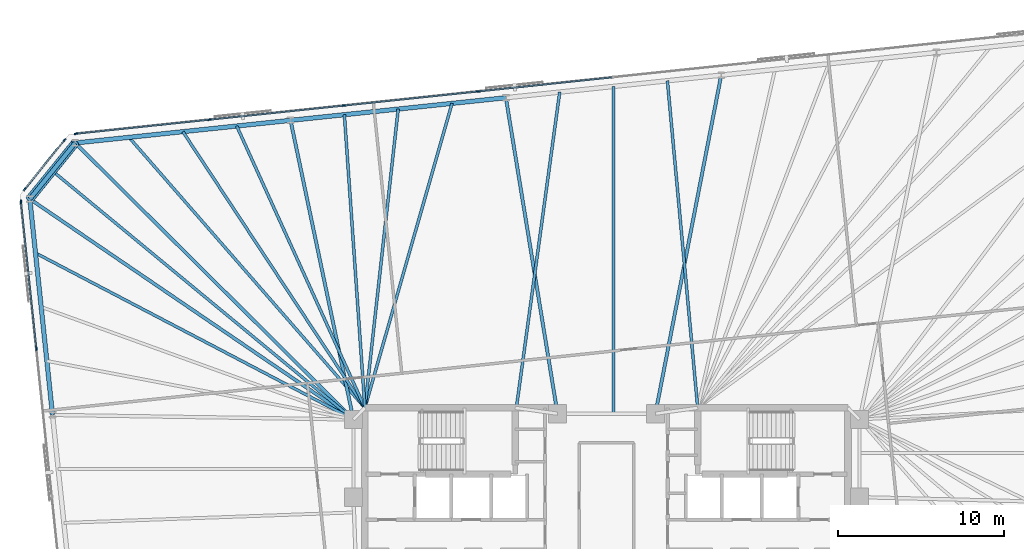
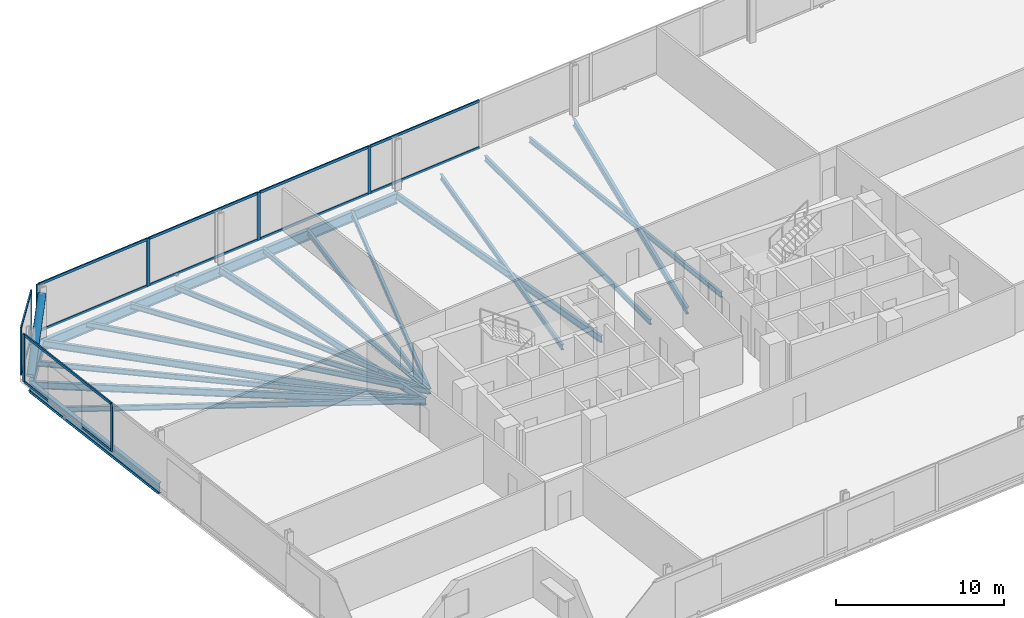
# One storey, part 9 of 18: 21 members, 20 beams, 3 elements without a shape of their own.
"""IFC4 building model written with IfcOpenShell, lengths in metres."""

import ifcopenshell
import ifcopenshell.guid

model = None  # the IFC model being written
_history = None  # IfcOwnerHistory: only IFC2X3 demands one
_inside = {}  # id of a spatial element -> (the spatial element, [elements in it])
_under = {}  # id of a project, library or spatial element -> (it, [spatial elements below it])
_declared = {}  # id of a project -> (the project, [libraries it declares])
_typed = {}  # id of a type object -> (the type object, [elements of that type])
_made_of = {}  # id of a material, layer set ... -> (it, [elements and type objects made of it])


def new_model(schema):
    """Start an empty IFC model of exactly this schema.

    Asked for "IFC4X3", IfcOpenShell would pick the latest addendum, in which some entities
    have other attributes; the version numbers below select the first issue.
    IFC2X3 requires an IfcOwnerHistory on every rooted entity: one is made here for all.
    """
    global model, _history
    if schema == "IFC4X3":
        model = ifcopenshell.file(schema_version=(4, 3, 0, 0))
    else:
        model = ifcopenshell.file(schema=schema)
    _inside.clear()
    _under.clear()
    _declared.clear()
    _typed.clear()
    _made_of.clear()
    _history = None
    if model.schema == "IFC2X3":
        org = make("IfcOrganization", Name="unknown")
        user = make(
            "IfcPersonAndOrganization",
            ThePerson=make("IfcPerson", FamilyName="unknown"),
            TheOrganization=org,
        )
        app = make(
            "IfcApplication",
            ApplicationDeveloper=org,
            Version="unknown",
            ApplicationFullName="unknown",
            ApplicationIdentifier="unknown",
        )
        _history = make(
            "IfcOwnerHistory",
            OwningUser=user,
            OwningApplication=app,
            ChangeAction="ADDED",
            CreationDate=0,
        )
    return model


def make(cls, **values):
    """One entity of the class cls with the attributes given. An attribute that is None is left unset."""
    return model.create_entity(
        cls, **{name: value for name, value in values.items() if value is not None}
    )


def rooted(cls, **values):
    """An entity with a GlobalId (a new one), such as an element, a storey or a relation."""
    return make(cls, GlobalId=ifcopenshell.guid.new(), OwnerHistory=_history, **values)


def si_unit(unit_type, name, prefix=None):
    """IfcSIUnit, for example si_unit("LENGTHUNIT", "METRE", prefix="MILLI")."""
    return make("IfcSIUnit", UnitType=unit_type, Prefix=prefix, Name=name)


def assignment(units):
    """IfcUnitAssignment: the units of a project."""
    return None if units is None else make("IfcUnitAssignment", Units=units)


def point(xyz):
    """IfcCartesianPoint."""
    return None if xyz is None else make("IfcCartesianPoint", Coordinates=xyz)


def direction(xyz):
    """IfcDirection."""
    return None if xyz is None else make("IfcDirection", DirectionRatios=xyz)


def frame(location, z_axis=None, x_axis=None):
    """IfcAxis2Placement3D, a coordinate frame: its origin and axes. An axis left out is left unset."""
    return make(
        "IfcAxis2Placement3D",
        Location=point(location),
        Axis=direction(z_axis),
        RefDirection=direction(x_axis),
    )


def frame_2d(location, x_axis=None):
    """IfcAxis2Placement2D, a coordinate frame in the plane: its origin and x axis."""
    return make(
        "IfcAxis2Placement2D", Location=point(location), RefDirection=direction(x_axis)
    )


def origin():
    """The frame at (0, 0, 0) with its axes left unset."""
    return frame((0.0, 0.0, 0.0))


def origin_2d():
    """The frame at (0, 0) in the plane with its x axis left unset."""
    return frame_2d((0.0, 0.0))


def place(relative_to, where):
    """IfcLocalPlacement: puts the frame where relative to a parent placement (None: the world)."""
    return make(
        "IfcLocalPlacement", PlacementRelTo=relative_to, RelativePlacement=where
    )


def context(
    kind, dimensions, precision=None, world=None, true_north=None, identifier=None
):
    """IfcGeometricRepresentationContext, for example the 3D "Model" context."""
    return make(
        "IfcGeometricRepresentationContext",
        ContextIdentifier=identifier,
        ContextType=kind,
        CoordinateSpaceDimension=dimensions,
        Precision=precision,
        WorldCoordinateSystem=world,
        TrueNorth=true_north,
    )


def subcontext(parent, identifier, kind, view, scale=None):
    """IfcGeometricRepresentationSubContext, for example "Body" below "Model"."""
    return make(
        "IfcGeometricRepresentationSubContext",
        ContextIdentifier=identifier,
        ContextType=kind,
        ParentContext=parent,
        TargetScale=scale,
        TargetView=view,
    )


def project(units=None, contexts=None):
    """IfcProject with its units and contexts."""
    return rooted(
        "IfcProject",
        Name="project",
        RepresentationContexts=contexts,
        UnitsInContext=assignment(units),
    )


def spatial(cls, under=None, at=None, **own):
    """A site, building, storey or space (cls), placed at a placement, below another one or the project."""
    s = rooted(cls, ObjectPlacement=at, **own)
    if under is not None:
        _under.setdefault(under.id(), (under, []))[1].append(s)
    return s


def profile(cls, at=None, kind="AREA", **sizes):
    """A parametric profile (cls). Its sizes go by their IFC names, for example OverallWidth=200.0."""
    return make(cls, ProfileType=kind, Position=at, **sizes)


def rectangle(**sizes):
    """IfcRectangleProfileDef."""
    return profile("IfcRectangleProfileDef", **sizes)


def hollow_circle(**sizes):
    """IfcCircleHollowProfileDef."""
    return profile("IfcCircleHollowProfileDef", **sizes)


def i_section(**sizes):
    """IfcIShapeProfileDef."""
    return profile("IfcIShapeProfileDef", **sizes)


def extrude(swept, where, along, depth):
    """IfcExtrudedAreaSolid: the profile swept, set in the frame where, extruded along a direction by depth."""
    return make(
        "IfcExtrudedAreaSolid",
        SweptArea=swept,
        Position=where,
        ExtrudedDirection=direction(along),
        Depth=depth,
    )


def shape(context_of_items, identifier, shape_type, items):
    """IfcShapeRepresentation: the items that make up one representation, for example the "Body"."""
    return make(
        "IfcShapeRepresentation",
        ContextOfItems=context_of_items,
        RepresentationIdentifier=identifier,
        RepresentationType=shape_type,
        Items=items,
    )


def material(Name=None, Category=None):
    """IfcMaterial."""
    return make("IfcMaterial", Name=Name, Category=Category)


def material_profile(
    of_material, cross_section, Name=None, Category=None, Priority=None
):
    """IfcMaterialProfile: a cross section and its material."""
    return make(
        "IfcMaterialProfile",
        Name=Name,
        Material=of_material,
        Profile=cross_section,
        Priority=Priority,
        Category=Category,
    )


def profile_set(profiles, Name=None, composite=None):
    """IfcMaterialProfileSet."""
    return make(
        "IfcMaterialProfileSet",
        Name=Name,
        MaterialProfiles=profiles,
        CompositeProfile=composite,
    )


def made_of(thing, what):
    """Note that an element or type object is made of a material, layer set ...; save() writes the relation."""
    if what is not None:
        _made_of.setdefault(what.id(), (what, []))[1].append(thing)
    return thing


def type_object(cls, material=None, **own):
    """A type object (cls), such as IfcWallType, which elements share."""
    return made_of(rooted(cls, **own), material)


def element(
    cls,
    number,
    at=None,
    inside=None,
    cuts=None,
    type_object=None,
    material=None,
    context=None,
    identifier="Body",
    shape_type=None,
    held_by="IfcProductDefinitionShape",
    body=None,
    shapes=None,
    **own,
):
    """One element of the class cls, such as IfcWall. Its Tag is "e" and its number.

    at: its placement. inside: the storey or other place that contains it. cuts: it is an
    opening in that element (IfcRelVoidsElement). A single representation is given by context,
    identifier, shape_type and body (its items); several are given by shapes. held_by: the class
    of the entity that holds the representations. save() writes the other relations.
    """
    e = rooted(cls, Tag="e%d" % number, ObjectPlacement=at, **own)
    if body is not None:
        shapes = [shape(context, identifier, shape_type, body)]
    if shapes is not None:
        e.Representation = make(held_by, Representations=shapes)
    if inside is not None:
        _inside.setdefault(inside.id(), (inside, []))[1].append(e)
    if cuts is not None:
        rooted(
            "IfcRelVoidsElement", RelatingBuildingElement=cuts, RelatedOpeningElement=e
        )
    if type_object is not None:
        _typed.setdefault(type_object.id(), (type_object, []))[1].append(e)
    return made_of(e, material)


def aggregate(whole, parts):
    """IfcRelAggregates: a whole, such as a stair, and the parts it consists of."""
    return rooted("IfcRelAggregates", RelatingObject=whole, RelatedObjects=parts)


def save(model, path):
    """Write the relations noted so far, then the file.

    IfcRelAggregates (storeys below a building ...), IfcRelContainedInSpatialStructure (elements
    in a storey), IfcRelDefinesByType, IfcRelAssociatesMaterial and IfcRelDeclares: one each for
    every whole, place, type object, material and project.
    """
    for whole, parts in _under.values():
        aggregate(whole, parts)
    for where, things in _inside.values():
        rooted(
            "IfcRelContainedInSpatialStructure",
            RelatedElements=things,
            RelatingStructure=where,
        )
    for kind, things in _typed.values():
        rooted("IfcRelDefinesByType", RelatedObjects=things, RelatingType=kind)
    for what, things in _made_of.values():
        rooted("IfcRelAssociatesMaterial", RelatedObjects=things, RelatingMaterial=what)
    for by, libraries in _declared.values():
        rooted("IfcRelDeclares", RelatingContext=by, RelatedDefinitions=libraries)
    model.write(path)


model = new_model("IFC4")

# Units and contexts
model_context = context("Model", 3, precision=1e-05, world=origin(), true_north=direction((0.0, 1.0)))
body_context = subcontext(model_context, "Body", "Model", "MODEL_VIEW")
ifc_project = project(units=[si_unit("LENGTHUNIT", "METRE"), si_unit("AREAUNIT", "SQUARE_METRE"), si_unit("VOLUMEUNIT", "CUBIC_METRE"), si_unit("PLANEANGLEUNIT", "RADIAN"), si_unit("MASSUNIT", "GRAM", prefix="KILO")], contexts=[model_context])

# Site, building, storey
site_placement = place(None, origin())
site = spatial("IfcSite", under=ifc_project, at=site_placement, CompositionType="ELEMENT")
building_placement = place(site_placement, origin())
building = spatial("IfcBuilding", under=site, at=building_placement, Name="Menara Jurai Vektor", CompositionType="ELEMENT")
storey_placement = place(building_placement, frame((0.0, 0.0, 113.300048828125)))
storey = spatial("IfcBuildingStorey", under=building, at=storey_placement, Name="L28", CompositionType="ELEMENT", Elevation=113.300048828125)

# Curtain wall, members
ifc_material_1 = material(Name="Anodised Pale Aluminium & Low-E Double Glazing", Category="aluminium")
curtain_wall_type = type_object("IfcCurtainWallType", Name="CW-BLK2", PredefinedType="NOTDEFINED", material=ifc_material_1)
curtain_wall_1_placement = place(storey_placement, origin())
curtain_wall_1 = element("IfcCurtainWall", 1, at=curtain_wall_1_placement, inside=storey, type_object=curtain_wall_type, Name="Unitised Curtain Wall L28 F07", PredefinedType="NOTDEFINED")
ifc_material_2 = material(Name="Anodised Pale Aluminium Mullion", Category="aluminium")
ifc_material_profile_1 = material_profile(ifc_material_2, rectangle(XDim=0.090087890625, YDim=0.219970703125, at=origin_2d()), Name="ALU MUL 90x220")
ifc_profile_set_1 = profile_set([ifc_material_profile_1], Name="Anodised Pale Aluminium Mullion")
member_type_1 = type_object("IfcMemberType", Name="CW-BLK2-MUL", PredefinedType="MULLION", material=ifc_profile_set_1)
member_1_placement = place(storey_placement, frame((-7.728271484375, 24.67138671875, 0.0), z_axis=(0.0, 0.0, 1.0), x_axis=(0.104528634935, -0.994521877325, 0.0)))
member_1 = element("IfcMember", 2, at=member_1_placement, type_object=member_type_1, Name="CW-02 mullion 6", PredefinedType="MULLION", context=body_context, shape_type="SweptSolid", body=[
    extrude(rectangle(XDim=0.090087890625, YDim=0.219970703125, at=origin_2d()), origin(), (0.0, 0.0, 1.0), 3.474853515625),
])
member_2_placement = place(storey_placement, frame((-15.826171875, 23.8203125, 0.0), z_axis=(0.0, 0.0, 1.0), x_axis=(0.104528634935, -0.994521877325, 0.0)))
member_2 = element("IfcMember", 3, at=member_2_placement, type_object=member_type_1, Name="CW-02 mullion 7", PredefinedType="MULLION", context=body_context, shape_type="SweptSolid", body=[
    extrude(rectangle(XDim=0.090087890625, YDim=0.219970703125, at=origin_2d()), origin(), (0.0, 0.0, 1.0), 3.474853515625),
])
member_3_placement = place(storey_placement, frame((-23.924072265625, 22.96923828125, 0.0), z_axis=(0.0, 0.0, 1.0), x_axis=(0.104528634935, -0.994521877325, 0.0)))
member_3 = element("IfcMember", 4, at=member_3_placement, type_object=member_type_1, Name="CW-02 mullion 8", PredefinedType="MULLION", context=body_context, shape_type="SweptSolid", body=[
    extrude(rectangle(XDim=0.090087890625, YDim=0.219970703125, at=origin_2d()), origin(), (0.0, 0.0, 1.0), 3.474853515625),
])
member_4_placement = place(storey_placement, frame((-31.97705078125, 22.122802734375, 0.0), z_axis=(0.0, 0.0, 1.0), x_axis=(0.104528634935, -0.994521877325, 0.0)))
member_4 = element("IfcMember", 5, at=member_4_placement, type_object=member_type_1, Name="CW-02 mullion 9", PredefinedType="MULLION", context=body_context, shape_type="SweptSolid", body=[
    extrude(rectangle(XDim=0.090087890625, YDim=0.219970703125, at=origin_2d()), origin(), (0.0, 0.0, 1.0), 3.474853515625),
])

curtain_wall_2_placement = place(storey_placement, origin())
curtain_wall_2 = element("IfcCurtainWall", 6, at=curtain_wall_2_placement, inside=storey, type_object=curtain_wall_type, Name="Unitised Curtain Wall L28 F08", PredefinedType="NOTDEFINED")
member_5_placement = place(storey_placement, frame((-32.667236328125, 21.748046875, 0.0), z_axis=(0.0, 0.0, 1.0), x_axis=(0.777129222223, -0.62934106172, 0.0)))
member_5 = element("IfcMember", 7, at=member_5_placement, type_object=member_type_1, Name="CW-02 mullion 1", PredefinedType="MULLION", context=body_context, shape_type="SweptSolid", body=[
    extrude(rectangle(XDim=0.090087890625, YDim=0.219970703125, at=origin_2d()), origin(), (0.0, 0.0, 1.0), 3.474853515625),
])
member_6_placement = place(storey_placement, frame((-35.0693359375, 18.781982421875, 0.0), z_axis=(0.0, 0.0, 1.0), x_axis=(0.777129222223, -0.62934106172, 0.0)))
member_6 = element("IfcMember", 8, at=member_6_placement, type_object=member_type_1, Name="CW-02 mullion 2", PredefinedType="MULLION", context=body_context, shape_type="SweptSolid", body=[
    extrude(rectangle(XDim=0.090087890625, YDim=0.219970703125, at=origin_2d()), origin(), (0.0, 0.0, 1.0), 3.474853515625),
])

curtain_wall_3_placement = place(storey_placement, origin())
curtain_wall_3 = element("IfcCurtainWall", 9, at=curtain_wall_3_placement, inside=storey, type_object=curtain_wall_type, Name="Unitised Curtain Wall L28 F09", PredefinedType="NOTDEFINED")
member_7_placement = place(storey_placement, frame((-35.29248046875, 18.029052734375, 0.0), z_axis=(0.0, 0.0, 1.0), x_axis=(0.994521640719, 0.10453088607, 0.0)))
member_7 = element("IfcMember", 10, at=member_7_placement, type_object=member_type_1, Name="CW-02 mullion 1", PredefinedType="MULLION", context=body_context, shape_type="SweptSolid", body=[
    extrude(rectangle(XDim=0.090087890625, YDim=0.219970703125, at=origin_2d()), origin(), (0.0, 0.0, 1.0), 3.474853515625),
])
member_8_placement = place(storey_placement, frame((-34.361083984375, 9.167724609375, 0.0), z_axis=(0.0, 0.0, 1.0), x_axis=(0.994521640719, 0.10453088607, 0.0)))
member_8 = element("IfcMember", 11, at=member_8_placement, type_object=member_type_1, Name="CW-02 mullion 2", PredefinedType="MULLION", context=body_context, shape_type="SweptSolid", body=[
    extrude(rectangle(XDim=0.090087890625, YDim=0.219970703125, at=origin_2d()), origin(), (0.0, 0.0, 1.0), 3.474853515625),
])

# Member
ifc_material_3 = material(Name="Anodised Pale Aluminium Transom", Category="aluminium")
ifc_material_profile_2 = material_profile(ifc_material_3, rectangle(XDim=0.090087890625, YDim=0.18505859375, at=origin_2d()), Name="ALU TRN 90x185")
ifc_profile_set_2 = profile_set([ifc_material_profile_2], Name="Anodised Pale Aluminium Transom")
member_type_2 = type_object("IfcMemberType", Name="CW-BLK2-TRN", PredefinedType="USERDEFINED", material=ifc_profile_set_2)
member_9_placement = place(storey_placement, frame((0.324951171875, 25.517822265625, 0.044921875), z_axis=(-0.99452387809, -0.104509597213, 0.0), x_axis=(0.104509597213, -0.99452387809, 0.0)))
member_9 = element("IfcMember", 12, at=member_9_placement, type_object=member_type_2, Name="CW-02 transom 5.1", ObjectType="TRANSOM", PredefinedType="USERDEFINED", context=body_context, shape_type="SweptSolid", body=[
    extrude(rectangle(XDim=0.090087890625, YDim=0.18505859375, at=origin_2d()), origin(), (0.0, 0.0, 1.0), 8.052490234375),
])

member_10_placement = place(storey_placement, frame((0.324951171875, 25.517822265625, 3.429931640625), z_axis=(-0.99452387809, -0.104509597213, 0.0), x_axis=(0.104509597213, -0.99452387809, 0.0)))
member_10 = element("IfcMember", 13, at=member_10_placement, type_object=member_type_2, Name="CW-02 transom 5.2", ObjectType="TRANSOM", PredefinedType="USERDEFINED", context=body_context, shape_type="SweptSolid", body=[
    extrude(rectangle(XDim=0.090087890625, YDim=0.18505859375, at=origin_2d()), origin(), (0.0, 0.0, 1.0), 8.052490234375),
])

member_11_placement = place(storey_placement, frame((-7.77294921875, 24.666748046875, 0.044921875), z_axis=(-0.994520726373, -0.10453958492, 0.0), x_axis=(0.10453958492, -0.994520726373, 0.0)))
member_11 = element("IfcMember", 14, at=member_11_placement, type_object=member_type_2, Name="CW-02 transom 6.1", ObjectType="TRANSOM", PredefinedType="USERDEFINED", context=body_context, shape_type="SweptSolid", body=[
    extrude(rectangle(XDim=0.090087890625, YDim=0.18505859375, at=origin_2d()), origin(), (0.0, 0.0, 1.0), 8.052490234375),
])

member_12_placement = place(storey_placement, frame((-7.77294921875, 24.666748046875, 3.429931640625), z_axis=(-0.994520726373, -0.10453958492, 0.0), x_axis=(0.10453958492, -0.994520726373, 0.0)))
member_12 = element("IfcMember", 15, at=member_12_placement, type_object=member_type_2, Name="CW-02 transom 6.2", ObjectType="TRANSOM", PredefinedType="USERDEFINED", context=body_context, shape_type="SweptSolid", body=[
    extrude(rectangle(XDim=0.090087890625, YDim=0.18505859375, at=origin_2d()), origin(), (0.0, 0.0, 1.0), 8.052490234375),
])

member_13_placement = place(storey_placement, frame((-15.870849609375, 23.815673828125, 0.044921875), z_axis=(-0.994520726373, -0.10453958492, 0.0), x_axis=(0.10453958492, -0.994520726373, 0.0)))
member_13 = element("IfcMember", 16, at=member_13_placement, type_object=member_type_2, Name="CW-02 transom 7.1", ObjectType="TRANSOM", PredefinedType="USERDEFINED", context=body_context, shape_type="SweptSolid", body=[
    extrude(rectangle(XDim=0.090087890625, YDim=0.18505859375, at=origin_2d()), origin(), (0.0, 0.0, 1.0), 8.052490234375),
])

member_14_placement = place(storey_placement, frame((-15.870849609375, 23.815673828125, 3.429931640625), z_axis=(-0.994520726373, -0.10453958492, 0.0), x_axis=(0.10453958492, -0.994520726373, 0.0)))
member_14 = element("IfcMember", 17, at=member_14_placement, type_object=member_type_2, Name="CW-02 transom 7.2", ObjectType="TRANSOM", PredefinedType="USERDEFINED", context=body_context, shape_type="SweptSolid", body=[
    extrude(rectangle(XDim=0.090087890625, YDim=0.18505859375, at=origin_2d()), origin(), (0.0, 0.0, 1.0), 8.052490234375),
])

member_15_placement = place(storey_placement, frame((-23.96875, 22.964599609375, 0.044921875), z_axis=(-0.994519977808, -0.104546706027, 0.0), x_axis=(0.104546706027, -0.994519977808, 0.0)))
member_15 = element("IfcMember", 18, at=member_15_placement, type_object=member_type_2, Name="CW-02 transom 8.1", ObjectType="TRANSOM", PredefinedType="USERDEFINED", context=body_context, shape_type="SweptSolid", body=[
    extrude(rectangle(XDim=0.090087890625, YDim=0.18505859375, at=origin_2d()), origin(), (0.0, 0.0, 1.0), 8.007568359375),
])

member_16_placement = place(storey_placement, frame((-23.96875, 22.964599609375, 3.429931640625), z_axis=(-0.994519977808, -0.104546706027, 0.0), x_axis=(0.104546706027, -0.994519977808, 0.0)))
member_16 = element("IfcMember", 19, at=member_16_placement, type_object=member_type_2, Name="CW-02 transom 8.2", ObjectType="TRANSOM", PredefinedType="USERDEFINED", context=body_context, shape_type="SweptSolid", body=[
    extrude(rectangle(XDim=0.090087890625, YDim=0.18505859375, at=origin_2d()), origin(), (0.0, 0.0, 1.0), 8.007568359375),
])

aggregate(curtain_wall_1, [member_1, member_2, member_3, member_4, member_9, member_10, member_11, member_12, member_13, member_14, member_15, member_16])

member_17_placement = place(storey_placement, frame((-32.695556640625, 21.713134765625, 0.044921875), z_axis=(-0.6293414396, -0.777128916205, 0.0), x_axis=(0.777128916205, -0.6293414396, 0.0)))
member_17 = element("IfcMember", 20, at=member_17_placement, type_object=member_type_2, Name="CW-02 transom 1.1", ObjectType="TRANSOM", PredefinedType="USERDEFINED", context=body_context, shape_type="SweptSolid", body=[
    extrude(rectangle(XDim=0.090087890625, YDim=0.18505859375, at=origin_2d()), origin(), (0.0, 0.0, 1.0), 3.726806640625),
])

member_18_placement = place(storey_placement, frame((-32.695556640625, 21.713134765625, 3.429931640625), z_axis=(-0.6293414396, -0.777128916205, 0.0), x_axis=(0.777128916205, -0.6293414396, 0.0)))
member_18 = element("IfcMember", 21, at=member_18_placement, type_object=member_type_2, Name="CW-02 transom 1.2", ObjectType="TRANSOM", PredefinedType="USERDEFINED", context=body_context, shape_type="SweptSolid", body=[
    extrude(rectangle(XDim=0.090087890625, YDim=0.18505859375, at=origin_2d()), origin(), (0.0, 0.0, 1.0), 3.726806640625),
])

aggregate(curtain_wall_2, [member_5, member_6, member_17, member_18])

member_19_placement = place(storey_placement, frame((-35.28759765625, 17.984130859375, 0.044921875), z_axis=(0.104520521822, -0.994522730016, 0.0), x_axis=(0.994522730016, 0.104520521822, 0.0)))
member_19 = element("IfcMember", 22, at=member_19_placement, type_object=member_type_2, Name="CW-02 transom 1.1", ObjectType="TRANSOM", PredefinedType="USERDEFINED", context=body_context, shape_type="SweptSolid", body=[
    extrude(rectangle(XDim=0.090087890625, YDim=0.18505859375, at=origin_2d()), origin(), (0.0, 0.0, 1.0), 8.820068359375),
])

member_20_placement = place(storey_placement, frame((-35.28759765625, 17.984130859375, 3.429931640625), z_axis=(0.104520521822, -0.994522730016, 0.0), x_axis=(0.994522730016, 0.104520521822, 0.0)))
member_20 = element("IfcMember", 23, at=member_20_placement, type_object=member_type_2, Name="CW-02 transom 1.2", ObjectType="TRANSOM", PredefinedType="USERDEFINED", context=body_context, shape_type="SweptSolid", body=[
    extrude(rectangle(XDim=0.090087890625, YDim=0.18505859375, at=origin_2d()), origin(), (0.0, 0.0, 1.0), 8.820068359375),
])

aggregate(curtain_wall_3, [member_7, member_8, member_19, member_20])

# Beams
ifc_material_4 = material(Name="Steel S355", Category="steel")
ifc_material_profile_3 = material_profile(ifc_material_4, i_section(OverallWidth=0.199951171875, OverallDepth=0.5, WebThickness=0.011962890625, FlangeThickness=0.02001953125, at=origin_2d()), Name="PG 500x200x96")
ifc_profile_set_3 = profile_set([ifc_material_profile_3], Name="Steel S355")
beam_type_1 = type_object("IfcBeamType", Name="STR-BM-500", PredefinedType="BEAM", material=ifc_profile_set_3)
beam_1_placement = place(storey_placement, frame((6.9169921875, 25.65771484375, -0.47509765625), z_axis=(-0.190817481746, -0.981625533826, 0.0), x_axis=(0.981625533826, -0.190817481746, 0.0)))
element("IfcBeam", 24, at=beam_1_placement, inside=storey, type_object=beam_type_1, Name="Radial Floor Girder L28-N3", PredefinedType="BEAM", context=body_context, shape_type="SweptSolid", body=[
    extrude(i_section(OverallWidth=0.199951171875, OverallDepth=0.5, WebThickness=0.011962890625, FlangeThickness=0.02001953125, at=origin_2d()), origin(), (0.0, 0.0, 1.0), 20.789794921875),
])
beam_2_placement = place(storey_placement, frame((-6.0625, 24.29345703125, -0.47509765625), z_axis=(0.161304178177, -0.986904738109, 0.0), x_axis=(0.986904738109, 0.161304178177, 0.0)))
element("IfcBeam", 25, at=beam_2_placement, inside=storey, type_object=beam_type_1, Name="Radial Floor Girder L28-N4", PredefinedType="BEAM", context=body_context, shape_type="SweptSolid", body=[
    extrude(i_section(OverallWidth=0.199951171875, OverallDepth=0.5, WebThickness=0.011962890625, FlangeThickness=0.02001953125, at=origin_2d()), origin(), (0.0, 0.0, 1.0), 19.296142578125),
])
beam_3_placement = place(storey_placement, frame((-19.042236328125, 22.92919921875, -0.47509765625), z_axis=(0.205833499861, -0.978587027471, 0.0), x_axis=(0.978587027471, 0.205833499861, 0.0)))
element("IfcBeam", 26, at=beam_3_placement, inside=storey, type_object=beam_type_1, Name="Radial Floor Girder L28-N5", PredefinedType="BEAM", context=body_context, shape_type="SweptSolid", body=[
    extrude(i_section(OverallWidth=0.199951171875, OverallDepth=0.5, WebThickness=0.011962890625, FlangeThickness=0.02001953125, at=origin_2d()), origin(), (0.0, 0.0, 1.0), 18.423828125),
])
beam_4_placement = place(storey_placement, frame((-32.02197265625, 21.565185546875, -0.47509765625), z_axis=(0.709359361276, -0.704847002242, 0.0), x_axis=(0.704847002242, 0.709359361276, 0.0)))
element("IfcBeam", 27, at=beam_4_placement, inside=storey, type_object=beam_type_1, Name="Radial Floor Girder L28-N6", PredefinedType="BEAM", context=body_context, shape_type="SweptSolid", body=[
    extrude(i_section(OverallWidth=0.199951171875, OverallDepth=0.5, WebThickness=0.011962890625, FlangeThickness=0.02001953125, at=origin_2d()), origin(), (0.0, 0.0, 1.0), 23.643798828125),
])
beam_5_placement = place(storey_placement, frame((-34.756103515625, 18.188720703125, -0.47509765625), z_axis=(0.826440214756, -0.563024485643, 0.0), x_axis=(0.563024485643, 0.826440214756, 0.0)))
element("IfcBeam", 28, at=beam_5_placement, inside=storey, type_object=beam_type_1, Name="Radial Floor Girder L28-W1", PredefinedType="BEAM", context=body_context, shape_type="SweptSolid", body=[
    extrude(i_section(OverallWidth=0.199951171875, OverallDepth=0.5, WebThickness=0.011962890625, FlangeThickness=0.02001953125, at=origin_2d()), origin(), (0.0, 0.0, 1.0), 23.6025390625),
])

# Member
ifc_material_5 = material(Name="Steel S460", Category="steel")
ifc_material_profile_4 = material_profile(ifc_material_5, hollow_circle(Radius=0.25390625, WallThickness=0.02001953125, at=origin_2d()), Name="CHS 508x20")
ifc_profile_set_4 = profile_set([ifc_material_profile_4], Name="Steel S460")
member_type_3 = type_object("IfcMemberType", Name="STR-BR-508", PredefinedType="BRACE", material=ifc_profile_set_4)
member_21_placement = place(storey_placement, frame((-34.756103515625, 18.188720703125, 0.14990234375), z_axis=(0.519237856236, 0.641223283484, 0.564999778203), x_axis=(-0.777154568396, 0.629309762217, 0.0)))
element("IfcMember", 29, at=member_21_placement, inside=storey, type_object=member_type_3, Name="Exoskeleton Corner Brace L28-3", PredefinedType="BRACE", context=body_context, shape_type="SweptSolid", body=[
    extrude(hollow_circle(Radius=0.25390625, WallThickness=0.02001953125, at=origin_2d()), origin(), (0.0, 0.0, 1.0), 5.265625),
])

# Beams
ifc_material_profile_5 = material_profile(ifc_material_4, i_section(OverallWidth=0.175048828125, OverallDepth=0.3798828125, WebThickness=0.010009765625, FlangeThickness=0.014892578125, at=origin_2d()), Name="PG 380x175x58")
ifc_profile_set_5 = profile_set([ifc_material_profile_5], Name="Steel S355")
beam_type_2 = type_object("IfcBeamType", Name="STR-JS-380", PredefinedType="JOIST", material=ifc_profile_set_5)
beam_6_placement = place(storey_placement, frame((3.672119140625, 25.316650390625, -0.4150390625), z_axis=(0.092312082085, -0.995730123829, 0.0), x_axis=(0.995730123829, 0.092312082085, 0.0)))
element("IfcBeam", 30, at=beam_6_placement, inside=storey, type_object=beam_type_2, Name="Radial Secondary Floor Joist L28-JS25", PredefinedType="JOIST", context=body_context, shape_type="SweptSolid", body=[
    extrude(i_section(OverallWidth=0.175048828125, OverallDepth=0.3798828125, WebThickness=0.010009765625, FlangeThickness=0.014892578125, at=origin_2d()), origin(), (0.0, 0.0, 1.0), 19.801025390625),
])
beam_7_placement = place(storey_placement, frame((0.42724609375, 24.9755859375, -0.4150390625), z_axis=(0.0, -1.0, 0.0), x_axis=(1.0, 0.0, 0.0)))
element("IfcBeam", 31, at=beam_7_placement, inside=storey, type_object=beam_type_2, Name="Radial Secondary Floor Joist L28-JS26", PredefinedType="JOIST", context=body_context, shape_type="SweptSolid", body=[
    extrude(i_section(OverallWidth=0.175048828125, OverallDepth=0.3798828125, WebThickness=0.010009765625, FlangeThickness=0.014892578125, at=origin_2d()), origin(), (0.0, 0.0, 1.0), 19.7255859375),
])
beam_8_placement = place(storey_placement, frame((-2.817626953125, 24.634521484375, -0.4150390625), z_axis=(-0.135987109192, -0.990710606652, 0.0), x_axis=(0.990710606652, -0.135987109192, 0.0)))
element("IfcBeam", 32, at=beam_8_placement, inside=storey, type_object=beam_type_2, Name="Radial Secondary Floor Joist L28-JS27", PredefinedType="JOIST", context=body_context, shape_type="SweptSolid", body=[
    extrude(i_section(OverallWidth=0.175048828125, OverallDepth=0.3798828125, WebThickness=0.010009765625, FlangeThickness=0.014892578125, at=origin_2d()), origin(), (0.0, 0.0, 1.0), 19.222412109375),
])
beam_9_placement = place(storey_placement, frame((-9.3076171875, 23.952392578125, -0.4150390625), z_axis=(-0.275153530359, -0.961400298903, 0.0), x_axis=(0.961400298903, -0.275153530359, 0.0)))
element("IfcBeam", 33, at=beam_9_placement, inside=storey, type_object=beam_type_2, Name="Radial Secondary Floor Joist L28-JS28", PredefinedType="JOIST", context=body_context, shape_type="SweptSolid", body=[
    extrude(i_section(OverallWidth=0.175048828125, OverallDepth=0.3798828125, WebThickness=0.010009765625, FlangeThickness=0.014892578125, at=origin_2d()), origin(), (0.0, 0.0, 1.0), 19.089111328125),
])
beam_10_placement = place(storey_placement, frame((-12.552490234375, 23.611328125, -0.4150390625), z_axis=(-0.110776028048, -0.993845396231, 0.0), x_axis=(0.993845396231, -0.110776028048, 0.0)))
element("IfcBeam", 34, at=beam_10_placement, inside=storey, type_object=beam_type_2, Name="Radial Secondary Floor Joist L28-JS29", PredefinedType="JOIST", context=body_context, shape_type="SweptSolid", body=[
    extrude(i_section(OverallWidth=0.175048828125, OverallDepth=0.3798828125, WebThickness=0.010009765625, FlangeThickness=0.014892578125, at=origin_2d()), origin(), (0.0, 0.0, 1.0), 18.122802734375),
])
beam_11_placement = place(storey_placement, frame((-15.79736328125, 23.2705078125, -0.4150390625), z_axis=(0.069850249402, -0.997557488398, 0.0), x_axis=(0.997557488398, 0.069850249402, 0.0)))
element("IfcBeam", 35, at=beam_11_placement, inside=storey, type_object=beam_type_2, Name="Radial Secondary Floor Joist L28-JS30", PredefinedType="JOIST", context=body_context, shape_type="SweptSolid", body=[
    extrude(i_section(OverallWidth=0.175048828125, OverallDepth=0.3798828125, WebThickness=0.010009765625, FlangeThickness=0.014892578125, at=origin_2d()), origin(), (0.0, 0.0, 1.0), 17.713623046875),
])
beam_12_placement = place(storey_placement, frame((-22.287109375, 22.58837890625, -0.4150390625), z_axis=(0.414029617818, -0.910263409992, 0.0), x_axis=(0.910263409992, 0.414029617818, 0.0)))
element("IfcBeam", 36, at=beam_12_placement, inside=storey, type_object=beam_type_2, Name="Radial Secondary Floor Joist L28-JS31", PredefinedType="JOIST", context=body_context, shape_type="SweptSolid", body=[
    extrude(i_section(OverallWidth=0.175048828125, OverallDepth=0.3798828125, WebThickness=0.010009765625, FlangeThickness=0.014892578125, at=origin_2d()), origin(), (0.0, 0.0, 1.0), 18.6630859375),
])
beam_13_placement = place(storey_placement, frame((-25.531982421875, 22.247314453125, -0.4150390625), z_axis=(0.550309675793, -0.834960634239, 0.0), x_axis=(0.834960634239, 0.550309675793, 0.0)))
element("IfcBeam", 37, at=beam_13_placement, inside=storey, type_object=beam_type_2, Name="Radial Secondary Floor Joist L28-JS32", PredefinedType="JOIST", context=body_context, shape_type="SweptSolid", body=[
    extrude(i_section(OverallWidth=0.175048828125, OverallDepth=0.3798828125, WebThickness=0.010009765625, FlangeThickness=0.014892578125, at=origin_2d()), origin(), (0.0, 0.0, 1.0), 19.937744140625),
])
beam_14_placement = place(storey_placement, frame((-28.777099609375, 21.90625, -0.4150390625), z_axis=(0.657172520545, -0.753740192798, 0.0), x_axis=(0.753740192798, 0.657172520545, 0.0)))
element("IfcBeam", 38, at=beam_14_placement, inside=storey, type_object=beam_type_2, Name="Radial Secondary Floor Joist L28-JS33", PredefinedType="JOIST", context=body_context, shape_type="SweptSolid", body=[
    extrude(i_section(OverallWidth=0.175048828125, OverallDepth=0.3798828125, WebThickness=0.010009765625, FlangeThickness=0.014892578125, at=origin_2d()), origin(), (0.0, 0.0, 1.0), 21.633544921875),
])
beam_15_placement = place(storey_placement, frame((-33.388916015625, 19.876953125, -0.4150390625), z_axis=(0.771113505069, -0.636697700876, 0.0), x_axis=(0.636697700876, 0.771113505069, 0.0)))
element("IfcBeam", 39, at=beam_15_placement, inside=storey, type_object=beam_type_2, Name="Radial Secondary Floor Joist L28-JS34", PredefinedType="JOIST", context=body_context, shape_type="SweptSolid", body=[
    extrude(i_section(OverallWidth=0.175048828125, OverallDepth=0.3798828125, WebThickness=0.010009765625, FlangeThickness=0.014892578125, at=origin_2d()), origin(), (0.0, 0.0, 1.0), 23.52294921875),
])
beam_16_placement = place(storey_placement, frame((-34.414306640625, 14.935302734375, -0.4150390625), z_axis=(0.885889402471, -0.463896504179, 0.0), x_axis=(0.463896504179, 0.885889402471, 0.0)))
element("IfcBeam", 40, at=beam_16_placement, inside=storey, type_object=beam_type_2, Name="Radial Secondary Floor Joist L28-JS35", PredefinedType="JOIST", context=body_context, shape_type="SweptSolid", body=[
    extrude(i_section(OverallWidth=0.175048828125, OverallDepth=0.3798828125, WebThickness=0.010009765625, FlangeThickness=0.014892578125, at=origin_2d()), origin(), (0.0, 0.0, 1.0), 21.6328125),
])
ifc_material_profile_6 = material_profile(ifc_material_5, i_section(OverallWidth=0.26806640625, OverallDepth=0.77001953125, WebThickness=0.01611328125, FlangeThickness=0.02490234375, FilletRadius=0.01708984375, at=origin_2d()), Name="UKB 762x267x197")
ifc_profile_set_6 = profile_set([ifc_material_profile_6], Name="Steel S460")
beam_type_3 = type_object("IfcBeamType", Name="STR-SP-762", PredefinedType="SPANDREL", material=ifc_profile_set_6)
for number, where, z_axis, x_axis, name in (
    (41, (-6.0625, 24.29345703125, -0.610107421875), (-0.994521636083, -0.104530930169, 0.0), (0.104530930169, -0.994521636083, 0.0), "Exoskeleton Spandrel Beam L28-14"),
    (42, (-19.042236328125, 22.92919921875, -0.610107421875), (-0.994523580592, -0.104512428191, 0.0), (0.104512428191, -0.994523580592, 0.0), "Exoskeleton Spandrel Beam L28-15"),
):
    element("IfcBeam", number, at=place(storey_placement, frame(where, z_axis=z_axis, x_axis=x_axis)), inside=storey, type_object=beam_type_3, Name=name, PredefinedType="SPANDREL", context=body_context, shape_type="SweptSolid", body=[
        extrude(i_section(OverallWidth=0.26806640625, OverallDepth=0.77001953125, WebThickness=0.01611328125, FlangeThickness=0.02490234375, FilletRadius=0.01708984375, at=origin_2d()), origin(), (0.0, 0.0, 1.0), 13.05126953125),
    ])
beam_17_placement = place(storey_placement, frame((-32.02197265625, 21.565185546875, -0.610107421875), z_axis=(-0.629309762217, -0.777154568396, 0.0), x_axis=(0.777154568396, -0.629309762217, 0.0)))
element("IfcBeam", 43, at=beam_17_placement, inside=storey, type_object=beam_type_3, Name="Exoskeleton Spandrel Beam L28-16", PredefinedType="SPANDREL", context=body_context, shape_type="SweptSolid", body=[
    extrude(i_section(OverallWidth=0.26806640625, OverallDepth=0.77001953125, WebThickness=0.01611328125, FlangeThickness=0.02490234375, FilletRadius=0.01708984375, at=origin_2d()), origin(), (0.0, 0.0, 1.0), 4.3447265625),
])
beam_18_placement = place(storey_placement, frame((-34.756103515625, 18.188720703125, -0.610107421875), z_axis=(0.104538130097, -0.994520879296, 0.0), x_axis=(0.994520879296, 0.104538130097, 0.0)))
element("IfcBeam", 44, at=beam_18_placement, inside=storey, type_object=beam_type_3, Name="Exoskeleton Spandrel Beam L28-17", PredefinedType="SPANDREL", context=body_context, shape_type="SweptSolid", body=[
    extrude(i_section(OverallWidth=0.26806640625, OverallDepth=0.77001953125, WebThickness=0.01611328125, FlangeThickness=0.02490234375, FilletRadius=0.01708984375, at=origin_2d()), origin(), (0.0, 0.0, 1.0), 13.08544921875),
])

save(model, "model.ifc")
